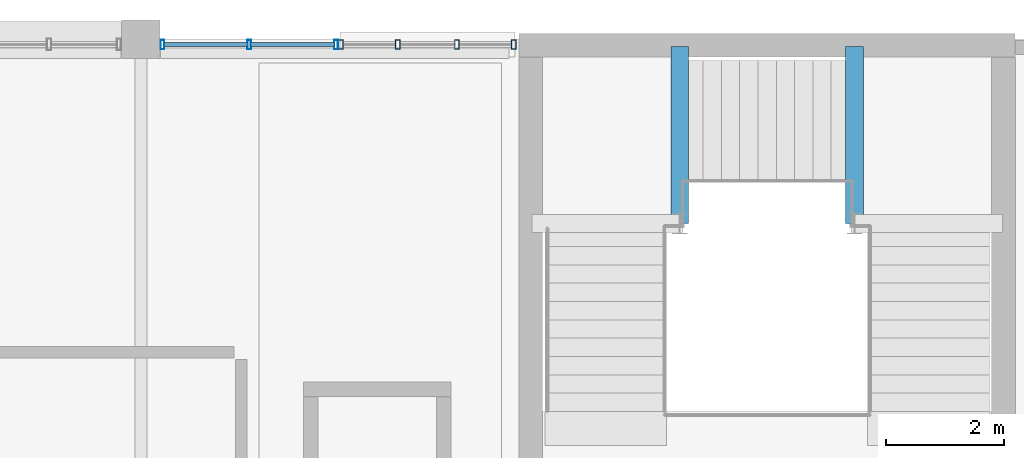
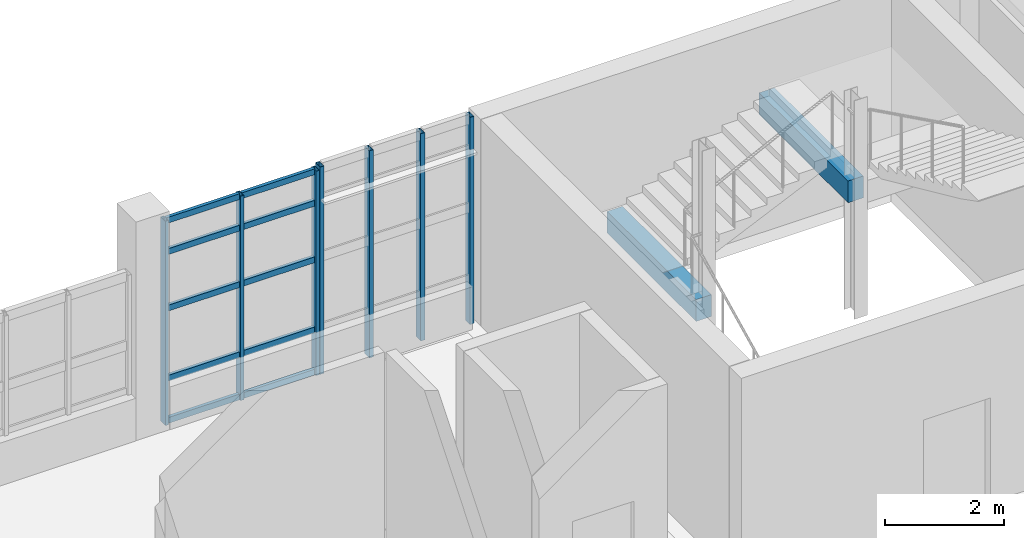
# One storey, part 42 of 85: 17 members, 2 beams, 2 elements without a shape of their own.
"""IFC4 building model written with IfcOpenShell, lengths in metres."""

from ifc_helpers import new_model, si_unit, derived_unit, direction, frame, origin, origin_2d, place, context, subcontext, project, spatial, rectangle, hollow_rectangle, extrude, material, layer, layer_set, material_profile, profile_set, type_object, element, aggregate, save


model = new_model("IFC4")

# Units and contexts
model_context = context("Model", 3, precision=1e-05, world=origin(), true_north=direction((0.0, 1.0)))
body_context = subcontext(model_context, "Body", "Model", "MODEL_VIEW")
ifc_project = project(units=[si_unit("LENGTHUNIT", "METRE"), si_unit("AREAUNIT", "SQUARE_METRE"), si_unit("VOLUMEUNIT", "CUBIC_METRE"), si_unit("PLANEANGLEUNIT", "RADIAN"), si_unit("MASSUNIT", "GRAM", prefix="KILO"), derived_unit("THERMALTRANSMITTANCEUNIT", [(si_unit("POWERUNIT", "WATT"), 1), (si_unit("LENGTHUNIT", "METRE"), -2), (si_unit("THERMODYNAMICTEMPERATUREUNIT", "KELVIN"), -1)])], contexts=[model_context])

# Site, building, storey
site_placement = place(None, origin())
site = spatial("IfcSite", under=ifc_project, at=site_placement, CompositionType="ELEMENT")
building_placement = place(site_placement, origin())
building = spatial("IfcBuilding", under=site, at=building_placement, Name="Nallur Shell Playhouse", CompositionType="ELEMENT")
storey_placement = place(building_placement, frame((0.0, 0.0, 19.800048828125)))
storey = spatial("IfcBuildingStorey", under=building, at=storey_placement, Name="L05", CompositionType="ELEMENT", Elevation=19.800048828125)

# Beams
ifc_material_1 = material(Name="Concrete M35", Category="concrete")
ifc_material_profile_1 = material_profile(ifc_material_1, rectangle(XDim=0.300048828125, YDim=0.449951171875, at=origin_2d()), Name="RC 300x450")
ifc_profile_set_1 = profile_set([ifc_material_profile_1], Name="Concrete M35")
beam_type = type_object("IfcBeamType", Name="BM-SPN-300x450", PredefinedType="SPANDREL", material=ifc_profile_set_1)
for number, where, z_axis, x_axis, name in (
    (1, (57.1201171875, 79.8798828125, 1.121826171875), (0.0, 1.0, 0.0), (-1.0, 0.0, 0.0), "Stair ST-03-L05 L1 east bearer beam"),
    (2, (60.080078125, 79.8798828125, 2.528076171875), (0.0, 1.0, 0.0), (-1.0, 0.0, 0.0), "Stair ST-03-L05 L2 west bearer beam"),
):
    element("IfcBeam", number, at=place(storey_placement, frame(where, z_axis=z_axis, x_axis=x_axis)), inside=storey, type_object=beam_type, Name=name, PredefinedType="SPANDREL", context=body_context, shape_type="SweptSolid", body=[
        extrude(rectangle(XDim=0.300048828125, YDim=0.449951171875, at=origin_2d()), origin(), (0.0, 0.0, 1.0), 3.0),
    ])

# Curtain wall, members
ifc_material_2 = material(Name="Anodised Aluminium Double-Glazed Facade System", Category="aluminium")
ifc_layer_1 = layer(ifc_material_2, 0.176025390625)
ifc_layer_set_1 = layer_set([ifc_layer_1], Name="Anodised Aluminium Double-Glazed Facade System")
curtain_wall_type_1 = type_object("IfcCurtainWallType", Name="CW-UNIT-04", PredefinedType="NOTDEFINED", material=ifc_layer_set_1)
curtain_wall_1_placement = place(storey_placement, origin())
curtain_wall_1 = element("IfcCurtainWall", 3, at=curtain_wall_1_placement, inside=storey, type_object=curtain_wall_type_1, Name="Unitised curtain wall CW-164 (L05)", PredefinedType="NOTDEFINED")
ifc_material_3 = material(Name="Aluminium Alloy 6063-T6 Mullion", Category="aluminium")
ifc_material_profile_2 = material_profile(ifc_material_3, hollow_rectangle(XDim=0.080078125, YDim=0.159912109375, WallThickness=0.006103515625, at=origin_2d()), Name="RHS 160x80x6")
ifc_profile_set_2 = profile_set([ifc_material_profile_2], Name="Aluminium Alloy 6063-T6 Mullion")
member_type_1 = type_object("IfcMemberType", Name="MB-CW-MUL150", PredefinedType="MULLION", material=ifc_profile_set_2)
member_1_placement = place(storey_placement, frame((51.386474609375, 82.909912109375, -0.01513671875), z_axis=(0.0, 0.0, 1.0), x_axis=(1.0, 0.0, 0.0)))
member_1 = element("IfcMember", 4, at=member_1_placement, type_object=member_type_1, Name="CW-04 mullion 1", PredefinedType="MULLION", context=body_context, shape_type="SweptSolid", body=[
    extrude(hollow_rectangle(XDim=0.080078125, YDim=0.159912109375, WallThickness=0.006103515625, at=origin_2d()), origin(), (0.0, 0.0, 1.0), 4.26904296875),
])
member_2_placement = place(storey_placement, frame((52.34765625, 82.909912109375, -0.01513671875), z_axis=(0.0, 0.0, 1.0), x_axis=(1.0, 0.0, 0.0)))
member_2 = element("IfcMember", 5, at=member_2_placement, type_object=member_type_1, Name="CW-04 mullion 2", PredefinedType="MULLION", context=body_context, shape_type="SweptSolid", body=[
    extrude(hollow_rectangle(XDim=0.080078125, YDim=0.159912109375, WallThickness=0.006103515625, at=origin_2d()), origin(), (0.0, 0.0, 1.0), 4.26904296875),
])
member_3_placement = place(storey_placement, frame((53.348876953125, 82.909912109375, -0.01513671875), z_axis=(0.0, 0.0, 1.0), x_axis=(1.0, 0.0, 0.0)))
member_3 = element("IfcMember", 6, at=member_3_placement, type_object=member_type_1, Name="CW-04 mullion 3", PredefinedType="MULLION", context=body_context, shape_type="SweptSolid", body=[
    extrude(hollow_rectangle(XDim=0.080078125, YDim=0.159912109375, WallThickness=0.006103515625, at=origin_2d()), origin(), (0.0, 0.0, 1.0), 4.26904296875),
])
member_4_placement = place(storey_placement, frame((54.31005859375, 82.909912109375, -0.01513671875), z_axis=(0.0, 0.0, 1.0), x_axis=(1.0, 0.0, 0.0)))
member_4 = element("IfcMember", 7, at=member_4_placement, type_object=member_type_1, Name="CW-04 mullion 4", PredefinedType="MULLION", context=body_context, shape_type="SweptSolid", body=[
    extrude(hollow_rectangle(XDim=0.080078125, YDim=0.159912109375, WallThickness=0.006103515625, at=origin_2d()), origin(), (0.0, 0.0, 1.0), 4.26904296875),
])
aggregate(curtain_wall_1, [member_1, member_2, member_3, member_4])

ifc_layer_2 = layer(ifc_material_2, 0.172119140625)
ifc_layer_set_2 = layer_set([ifc_layer_2], Name="Anodised Aluminium Double-Glazed Facade System")
curtain_wall_type_2 = type_object("IfcCurtainWallType", Name="CW-UNIT-03", PredefinedType="NOTDEFINED", material=ifc_layer_set_2)
curtain_wall_2_placement = place(storey_placement, origin())
curtain_wall_2 = element("IfcCurtainWall", 8, at=curtain_wall_2_placement, inside=storey, type_object=curtain_wall_type_2, Name="Unitised curtain wall CW-163 (L05)", PredefinedType="NOTDEFINED")
ifc_material_profile_3 = material_profile(ifc_material_3, hollow_rectangle(XDim=0.06494140625, YDim=0.159912109375, WallThickness=0.00390625, at=origin_2d()), Name="ALU 65x160x4")
ifc_profile_set_3 = profile_set([ifc_material_profile_3], Name="Aluminium Alloy 6063-T6 Mullion")
member_type_2 = type_object("IfcMemberType", Name="MB-CW-MUL160", PredefinedType="MULLION", material=ifc_profile_set_3)
member_5_placement = place(storey_placement, frame((48.365478515625, 82.909912109375, -0.01513671875), z_axis=(0.0, 0.0, 1.0), x_axis=(1.0, 0.0, 0.0)))
member_5 = element("IfcMember", 9, at=member_5_placement, type_object=member_type_2, Name="CW-03 mullion 1", PredefinedType="MULLION", context=body_context, shape_type="SweptSolid", body=[
    extrude(hollow_rectangle(XDim=0.06494140625, YDim=0.159912109375, WallThickness=0.00390625, at=origin_2d()), origin(), (0.0, 0.0, 1.0), 4.208984375),
])
member_6_placement = place(storey_placement, frame((49.834716796875, 82.909912109375, -0.01513671875), z_axis=(0.0, 0.0, 1.0), x_axis=(1.0, 0.0, 0.0)))
member_6 = element("IfcMember", 10, at=member_6_placement, type_object=member_type_2, Name="CW-03 mullion 2", PredefinedType="MULLION", context=body_context, shape_type="SweptSolid", body=[
    extrude(hollow_rectangle(XDim=0.06494140625, YDim=0.159912109375, WallThickness=0.00390625, at=origin_2d()), origin(), (0.0, 0.0, 1.0), 4.208984375),
])
member_7_placement = place(storey_placement, frame((51.303955078125, 82.909912109375, -0.01513671875), z_axis=(0.0, 0.0, 1.0), x_axis=(1.0, 0.0, 0.0)))
member_7 = element("IfcMember", 11, at=member_7_placement, type_object=member_type_2, Name="CW-03 mullion 3", PredefinedType="MULLION", context=body_context, shape_type="SweptSolid", body=[
    extrude(hollow_rectangle(XDim=0.06494140625, YDim=0.159912109375, WallThickness=0.00390625, at=origin_2d()), origin(), (0.0, 0.0, 1.0), 4.208984375),
])
ifc_material_4 = material(Name="Aluminium Alloy 6063-T6 Transom", Category="aluminium")
ifc_material_profile_4 = material_profile(ifc_material_4, hollow_rectangle(XDim=0.06494140625, YDim=0.1201171875, WallThickness=0.00390625, at=origin_2d()), Name="ALU 65x120x4")
ifc_profile_set_4 = profile_set([ifc_material_profile_4], Name="Aluminium Alloy 6063-T6 Transom")
member_type_3 = type_object("IfcMemberType", Name="MB-CW-TRN120", PredefinedType="USERDEFINED", material=ifc_profile_set_4)
member_8_placement = place(storey_placement, frame((48.389892578125, 82.909912109375, 0.032470703125), z_axis=(1.0, 0.0, 0.0), x_axis=(0.0, 1.0, 0.0)))
member_8 = element("IfcMember", 12, at=member_8_placement, type_object=member_type_3, Name="CW-03 transom 1.1", ObjectType="TRANSOM", PredefinedType="USERDEFINED", context=body_context, shape_type="SweptSolid", body=[
    extrude(hollow_rectangle(XDim=0.06494140625, YDim=0.1201171875, WallThickness=0.00390625, at=origin_2d()), origin(), (0.0, 0.0, 1.0), 1.42041015625),
])
member_9_placement = place(storey_placement, frame((48.389892578125, 82.909912109375, 0.89990234375), z_axis=(1.0, 0.0, 0.0), x_axis=(0.0, 1.0, 0.0)))
member_9 = element("IfcMember", 13, at=member_9_placement, type_object=member_type_3, Name="CW-03 transom 1.2", ObjectType="TRANSOM", PredefinedType="USERDEFINED", context=body_context, shape_type="SweptSolid", body=[
    extrude(hollow_rectangle(XDim=0.06494140625, YDim=0.1201171875, WallThickness=0.00390625, at=origin_2d()), origin(), (0.0, 0.0, 1.0), 1.42041015625),
])
member_10_placement = place(storey_placement, frame((48.389892578125, 82.909912109375, 2.345947265625), z_axis=(1.0, 0.0, 0.0), x_axis=(0.0, 1.0, 0.0)))
member_10 = element("IfcMember", 14, at=member_10_placement, type_object=member_type_3, Name="CW-03 transom 1.3", ObjectType="TRANSOM", PredefinedType="USERDEFINED", context=body_context, shape_type="SweptSolid", body=[
    extrude(hollow_rectangle(XDim=0.06494140625, YDim=0.1201171875, WallThickness=0.00390625, at=origin_2d()), origin(), (0.0, 0.0, 1.0), 1.42041015625),
])
member_11_placement = place(storey_placement, frame((48.389892578125, 82.909912109375, 3.510009765625), z_axis=(1.0, 0.0, 0.0), x_axis=(0.0, 1.0, 0.0)))
member_11 = element("IfcMember", 15, at=member_11_placement, type_object=member_type_3, Name="CW-03 transom 1.4", ObjectType="TRANSOM", PredefinedType="USERDEFINED", context=body_context, shape_type="SweptSolid", body=[
    extrude(hollow_rectangle(XDim=0.06494140625, YDim=0.1201171875, WallThickness=0.00390625, at=origin_2d()), origin(), (0.0, 0.0, 1.0), 1.42041015625),
])
member_12_placement = place(storey_placement, frame((48.389892578125, 82.909912109375, 4.157470703125), z_axis=(1.0, 0.0, 0.0), x_axis=(0.0, 1.0, 0.0)))
member_12 = element("IfcMember", 16, at=member_12_placement, type_object=member_type_3, Name="CW-03 transom 1.5", ObjectType="TRANSOM", PredefinedType="USERDEFINED", context=body_context, shape_type="SweptSolid", body=[
    extrude(hollow_rectangle(XDim=0.06494140625, YDim=0.1201171875, WallThickness=0.00390625, at=origin_2d()), origin(), (0.0, 0.0, 1.0), 1.42041015625),
])
member_13_placement = place(storey_placement, frame((49.859130859375, 82.909912109375, 0.032470703125), z_axis=(1.0, 0.0, 0.0), x_axis=(0.0, 1.0, 0.0)))
member_13 = element("IfcMember", 17, at=member_13_placement, type_object=member_type_3, Name="CW-03 transom 2.1", ObjectType="TRANSOM", PredefinedType="USERDEFINED", context=body_context, shape_type="SweptSolid", body=[
    extrude(hollow_rectangle(XDim=0.06494140625, YDim=0.1201171875, WallThickness=0.00390625, at=origin_2d()), origin(), (0.0, 0.0, 1.0), 1.42041015625),
])
member_14_placement = place(storey_placement, frame((49.859130859375, 82.909912109375, 0.89990234375), z_axis=(1.0, 0.0, 0.0), x_axis=(0.0, 1.0, 0.0)))
member_14 = element("IfcMember", 18, at=member_14_placement, type_object=member_type_3, Name="CW-03 transom 2.2", ObjectType="TRANSOM", PredefinedType="USERDEFINED", context=body_context, shape_type="SweptSolid", body=[
    extrude(hollow_rectangle(XDim=0.06494140625, YDim=0.1201171875, WallThickness=0.00390625, at=origin_2d()), origin(), (0.0, 0.0, 1.0), 1.42041015625),
])
member_15_placement = place(storey_placement, frame((49.859130859375, 82.909912109375, 2.345947265625), z_axis=(1.0, 0.0, 0.0), x_axis=(0.0, 1.0, 0.0)))
member_15 = element("IfcMember", 19, at=member_15_placement, type_object=member_type_3, Name="CW-03 transom 2.3", ObjectType="TRANSOM", PredefinedType="USERDEFINED", context=body_context, shape_type="SweptSolid", body=[
    extrude(hollow_rectangle(XDim=0.06494140625, YDim=0.1201171875, WallThickness=0.00390625, at=origin_2d()), origin(), (0.0, 0.0, 1.0), 1.42041015625),
])
member_16_placement = place(storey_placement, frame((49.859130859375, 82.909912109375, 3.510009765625), z_axis=(1.0, 0.0, 0.0), x_axis=(0.0, 1.0, 0.0)))
member_16 = element("IfcMember", 20, at=member_16_placement, type_object=member_type_3, Name="CW-03 transom 2.4", ObjectType="TRANSOM", PredefinedType="USERDEFINED", context=body_context, shape_type="SweptSolid", body=[
    extrude(hollow_rectangle(XDim=0.06494140625, YDim=0.1201171875, WallThickness=0.00390625, at=origin_2d()), origin(), (0.0, 0.0, 1.0), 1.42041015625),
])
member_17_placement = place(storey_placement, frame((49.859130859375, 82.909912109375, 4.157470703125), z_axis=(1.0, 0.0, 0.0), x_axis=(0.0, 1.0, 0.0)))
member_17 = element("IfcMember", 21, at=member_17_placement, type_object=member_type_3, Name="CW-03 transom 2.5", ObjectType="TRANSOM", PredefinedType="USERDEFINED", context=body_context, shape_type="SweptSolid", body=[
    extrude(hollow_rectangle(XDim=0.06494140625, YDim=0.1201171875, WallThickness=0.00390625, at=origin_2d()), origin(), (0.0, 0.0, 1.0), 1.42041015625),
])
aggregate(curtain_wall_2, [member_5, member_6, member_7, member_8, member_9, member_10, member_11, member_12, member_13, member_14, member_15, member_16, member_17])

save(model, "model.ifc")
